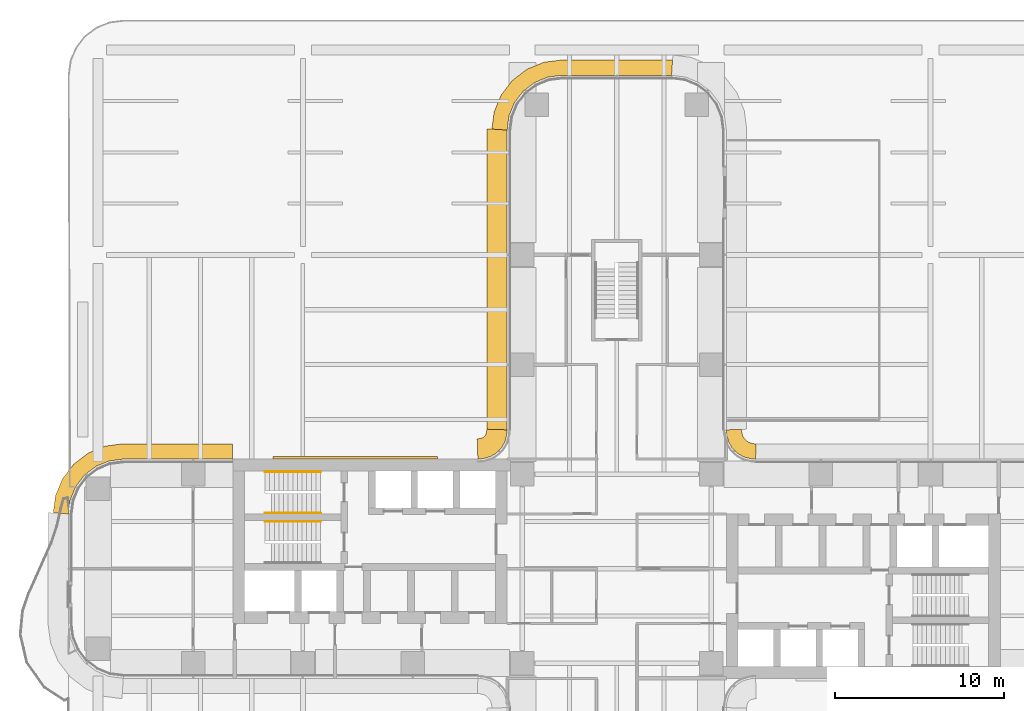
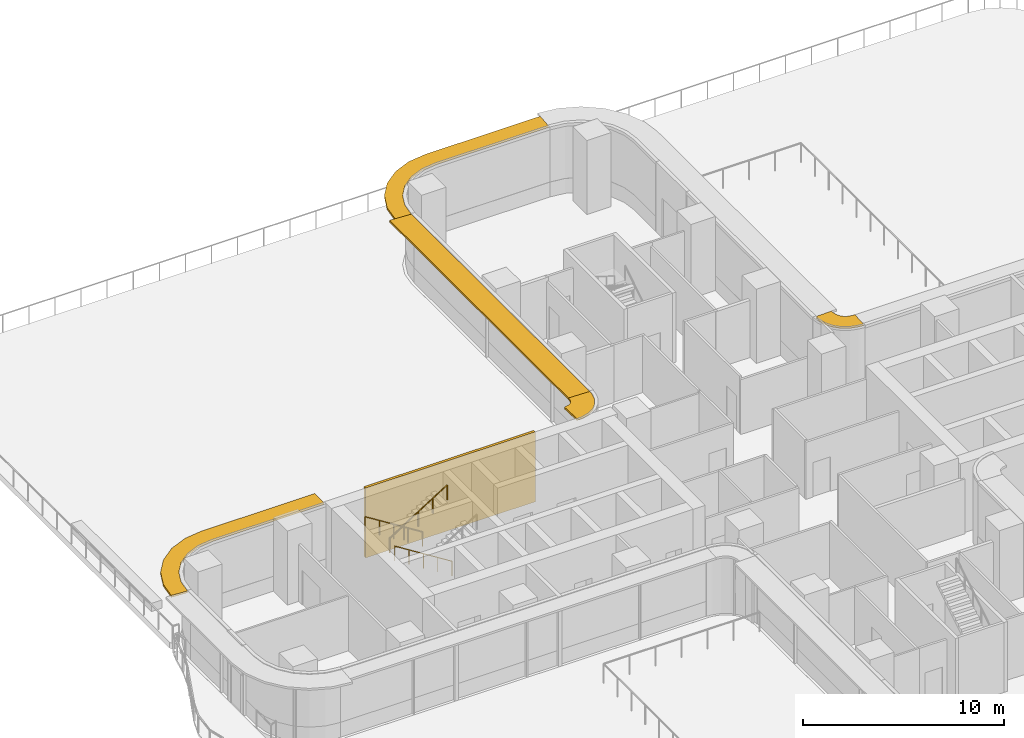
# One storey, part 27 of 29: 5 shading devices, 3 railings, 1 covering.
"""IFC4 building model written with IfcOpenShell, lengths in metres."""

from ifc_helpers import new_model, si_unit, direction, frame, origin, origin_2d, place, context, subcontext, project, spatial, polyline, circle, outline, extrude, source, transform, mapped, material, layer, layer_set, type_object, element, save


model = new_model("IFC4")

# Units and contexts
model_context = context("Model", 3, precision=1e-05, world=origin(), true_north=direction((0.0, 1.0)))
body_context = subcontext(model_context, "Body", "Model", "MODEL_VIEW")
ifc_project = project(units=[si_unit("LENGTHUNIT", "METRE"), si_unit("AREAUNIT", "SQUARE_METRE"), si_unit("VOLUMEUNIT", "CUBIC_METRE"), si_unit("PLANEANGLEUNIT", "RADIAN"), si_unit("MASSUNIT", "GRAM", prefix="KILO")], contexts=[model_context])

# Site, building, storey
site_placement = place(None, origin())
site = spatial("IfcSite", under=ifc_project, at=site_placement, CompositionType="ELEMENT")
building_placement = place(site_placement, origin())
building = spatial("IfcBuilding", under=site, at=building_placement, Name="Trellis Farm Tower", CompositionType="ELEMENT")
storey_placement = place(building_placement, frame((0.0, 0.0, 34.0)))
storey = spatial("IfcBuildingStorey", under=building, at=storey_placement, Name="L06", CompositionType="ELEMENT", Elevation=34.0)

# Railings
ifc_material_1 = material(Name="Stainless steel", Category="steel")
railing_type = type_object("IfcRailingType", Name="STAIR HANDRAIL 900", PredefinedType="HANDRAIL", material=ifc_material_1)
shared_shape_1 = source(origin(), body_context, "Body", "SweptSolid", [
    extrude(circle(Radius=0.02392578125, at=origin_2d()), frame((0.0, 0.0, 0.8759765625), z_axis=(0.846337383501, 0.0, 0.532647194011), x_axis=(0.0, 1.0, 0.0)), (0.0, 0.0, 1.0), 3.899169921875),
    extrude(circle(Radius=0.02099609375, at=origin_2d()), origin(), (0.0, 0.0, 1.0), 0.851806640625),
    extrude(circle(Radius=0.02099609375, at=origin_2d()), frame((0.824951171875, 0.0, 0.519287109375)), (0.0, 0.0, 1.0), 0.851806640625),
    extrude(circle(Radius=0.02099609375, at=origin_2d()), frame((1.64990234375, 0.0, 1.03857421875)), (0.0, 0.0, 1.0), 0.851806640625),
    extrude(circle(Radius=0.02099609375, at=origin_2d()), frame((2.47509765625, 0.0, 1.5576171875)), (0.0, 0.0, 1.0), 0.851806640625),
    extrude(circle(Radius=0.02099609375, at=origin_2d()), frame((3.300048828125, 0.0, 2.076904296875)), (0.0, 0.0, 1.0), 0.851806640625),
])
railing_placement = place(storey_placement, frame((-20.85009765625, 3.300048828125, 2.423095703125)))
element("IfcRailing", 1, at=railing_placement, inside=storey, type_object=railing_type, Name="Stair handrail", PredefinedType="HANDRAIL", context=body_context, shape_type="MappedRepresentation", body=[
    mapped(shared_shape_1, transform((0.0, 0.0, 0.0))),
])
shared_shape_2 = source(origin(), body_context, "Body", "SweptSolid", [
    extrude(circle(Radius=0.02392578125, at=origin_2d()), frame((0.0, 0.0, 0.8759765625), z_axis=(-0.846337383501, 0.0, 0.532647194011), x_axis=(0.0, -1.0, 0.0)), (0.0, 0.0, 1.0), 3.899169921875),
    extrude(circle(Radius=0.02099609375, at=origin_2d()), origin(), (0.0, 0.0, 1.0), 0.851806640625),
    extrude(circle(Radius=0.02099609375, at=origin_2d()), frame((-0.824951171875, 0.0, 0.519287109375)), (0.0, 0.0, 1.0), 0.851806640625),
    extrude(circle(Radius=0.02099609375, at=origin_2d()), frame((-1.64990234375, 0.0, 1.03857421875)), (0.0, 0.0, 1.0), 0.851806640625),
    extrude(circle(Radius=0.02099609375, at=origin_2d()), frame((-2.47509765625, 0.0, 1.5576171875)), (0.0, 0.0, 1.0), 0.851806640625),
    extrude(circle(Radius=0.02099609375, at=origin_2d()), frame((-3.300048828125, 0.0, 2.076904296875)), (0.0, 0.0, 1.0), 0.851806640625),
])
for number, where, name in (
    (2, (-17.550048828125, 5.75, 0.173095703125), "Stair handrail"),
    (3, (-17.550048828125, 2.800048828125, 0.173095703125), "Stair handrail"),
):
    element("IfcRailing", number, at=place(storey_placement, frame(where)), inside=storey, type_object=railing_type, Name=name, PredefinedType="HANDRAIL", context=body_context, shape_type="MappedRepresentation", body=[
        mapped(shared_shape_2, transform((0.0, 0.0, 0.0))),
    ])

# Shading devices
ifc_material_2 = material(Name="Aluminium extrusion 6063-T6", Category="aluminium")
ifc_layer_1 = layer(ifc_material_2, 0.1201171875)
ifc_layer_set_1 = layer_set([ifc_layer_1], Name="SUNSHADE BLADE 900")
shading_device_type_1 = type_object("IfcShadingDeviceType", Name="SUNSHADE BLADE 900", PredefinedType="USERDEFINED", material=ifc_layer_set_1)
shared_shape_3 = source(origin(), body_context, "Body", "SweptSolid", [
    extrude(outline(polyline([(8.2607421875, 7.39990234375), (8.107666015625, 7.409912109375), (8.091552734375, 7.412109375), (7.85595703125, 7.475341796875), (7.697021484375, 7.567138671875), (7.567138671875, 7.697021484375), (7.475341796875, 7.85595703125), (7.412109375, 8.091552734375), (7.409912109375, 8.107666015625), (7.39990234375, 8.2607421875), (6.5, 8.2314453125), (6.513916015625, 8.01953125), (6.527587890625, 7.91552734375), (6.63671875, 7.508544921875), (6.846923828125, 7.144287109375), (7.144287109375, 6.846923828125), (7.508544921875, 6.63671875), (7.91552734375, 6.527587890625), (8.01953125, 6.513916015625), (8.2314453125, 6.5), (8.2607421875, 7.39990234375)])), origin(), (0.0, 0.0, 1.0), 0.119873046875),
])
placement = place(storey_placement, frame((0.0, 0.0, 4.090087890625)))
element("IfcShadingDevice", 4, at=placement, inside=storey, type_object=shading_device_type_1, Name="SD1 010", ObjectType="SUNSHADE", PredefinedType="USERDEFINED", context=body_context, shape_type="MappedRepresentation", body=[
    mapped(shared_shape_3, transform((0.0, 0.0, 0.0))),
])
shared_shape_4 = source(origin(), body_context, "Body", "SweptSolid", [
    extrude(outline(polyline([(3.30908203125, 30.14990234375), (-3.30908203125, 30.14990234375), (-4.326171875, 30.01611328125), (-5.328857421875, 29.600830078125), (-6.18994140625, 28.93994140625), (-6.850830078125, 28.078857421875), (-7.26611328125, 27.076171875), (-7.39990234375, 26.05908203125), (-6.5, 26.0), (-6.38916015625, 26.841064453125), (-6.064697265625, 27.625), (-5.548095703125, 28.298095703125), (-4.875, 28.814697265625), (-4.091064453125, 29.13916015625), (-3.25, 29.25), (3.25, 29.25), (3.30908203125, 30.14990234375)])), origin(), (0.0, 0.0, 1.0), 0.119873046875),
])
element("IfcShadingDevice", 5, at=placement, inside=storey, type_object=shading_device_type_1, Name="SD1 012", ObjectType="SUNSHADE", PredefinedType="USERDEFINED", context=body_context, shape_type="MappedRepresentation", body=[
    mapped(shared_shape_4, transform((0.0, 0.0, 0.0))),
])
ifc_layer_2 = layer(ifc_material_2, 0.1201171875)
ifc_layer_set_2 = layer_set([ifc_layer_2], Name="SUNSHADE BLADE 1200")
shading_device_type_2 = type_object("IfcShadingDeviceType", Name="SUNSHADE BLADE 1200", PredefinedType="USERDEFINED", material=ifc_layer_set_2)
shared_shape_5 = source(origin(), body_context, "Body", "SweptSolid", [
    extrude(outline(polyline([(-7.699951171875, 26.07861328125), (-7.699951171875, 8.270751953125), (-6.5, 8.2314453125), (-6.5, 26.0), (-7.699951171875, 26.07861328125)])), origin(), (0.0, 0.0, 1.0), 0.119873046875),
])
element("IfcShadingDevice", 6, at=placement, inside=storey, type_object=shading_device_type_2, Name="SD2 013", ObjectType="SUNSHADE", PredefinedType="USERDEFINED", context=body_context, shape_type="MappedRepresentation", body=[
    mapped(shared_shape_5, transform((0.0, 0.0, 0.0))),
])
shared_shape_6 = source(origin(), body_context, "Body", "SweptSolid", [
    extrude(outline(polyline([(-7.699951171875, 8.270751953125), (-7.708740234375, 8.13720703125), (-7.70703125, 8.150146484375), (-7.7548828125, 7.9716796875), (-7.80712890625, 7.881103515625), (-7.881103515625, 7.80712890625), (-7.9716796875, 7.7548828125), (-8.150146484375, 7.70703125), (-8.13720703125, 7.708740234375), (-8.270751953125, 7.699951171875), (-8.2314453125, 6.5), (-8.01953125, 6.513916015625), (-7.91552734375, 6.527587890625), (-7.508544921875, 6.63671875), (-7.144287109375, 6.846923828125), (-6.846923828125, 7.144287109375), (-6.63671875, 7.508544921875), (-6.527587890625, 7.91552734375), (-6.513916015625, 8.01953125), (-6.5, 8.2314453125), (-7.699951171875, 8.270751953125)])), origin(), (0.0, 0.0, 1.0), 0.119873046875),
])
element("IfcShadingDevice", 7, at=placement, inside=storey, type_object=shading_device_type_2, Name="SD2 014", ObjectType="SUNSHADE", PredefinedType="USERDEFINED", context=body_context, shape_type="MappedRepresentation", body=[
    mapped(shared_shape_6, transform((0.0, 0.0, 0.0))),
])
shared_shape_7 = source(origin(), body_context, "Body", "SweptSolid", [
    extrude(outline(polyline([(-22.780029296875, 7.39990234375), (-29.30908203125, 7.39990234375), (-30.326171875, 7.26611328125), (-31.328857421875, 6.850830078125), (-32.18994140625, 6.18994140625), (-32.850830078125, 5.328857421875), (-33.26611328125, 4.326171875), (-33.39990234375, 3.30908203125), (-32.5, 3.25), (-32.38916015625, 4.091064453125), (-32.064697265625, 4.875), (-31.548095703125, 5.548095703125), (-30.875, 6.064697265625), (-30.091064453125, 6.38916015625), (-29.25, 6.5), (-22.780029296875, 6.5), (-22.780029296875, 7.39990234375)])), origin(), (0.0, 0.0, 1.0), 0.119873046875),
])
element("IfcShadingDevice", 8, at=placement, inside=storey, type_object=shading_device_type_1, Name="SD1 015", ObjectType="SUNSHADE", PredefinedType="USERDEFINED", context=body_context, shape_type="MappedRepresentation", body=[
    mapped(shared_shape_7, transform((0.0, 0.0, 0.0))),
])

# Covering
ifc_material_3 = material(Name="Perforated precast screen (cobogo)", Category="concrete")
ifc_layer_3 = layer(ifc_material_3, 0.14990234375)
ifc_layer_set_3 = layer_set([ifc_layer_3], Name="COBOGO SCREEN PANEL")
covering_type = type_object("IfcCoveringType", Name="COBOGO SCREEN PANEL", PredefinedType="USERDEFINED", material=ifc_layer_set_3)
shared_shape_8 = source(origin(), body_context, "Body", "SweptSolid", [
    extrude(outline(polyline([(-10.630615234375, 6.64990234375), (-20.380615234375, 6.64990234375), (-20.380615234375, 6.5), (-10.630615234375, 6.5), (-10.630615234375, 6.64990234375)])), origin(), (0.0, 0.0, 1.0), 4.25),
])
covering_placement = place(storey_placement, origin())
element("IfcCovering", 9, at=covering_placement, inside=storey, type_object=covering_type, Name="SC1 02", ObjectType="SCREEN", PredefinedType="USERDEFINED", context=body_context, shape_type="MappedRepresentation", body=[
    mapped(shared_shape_8, transform((0.0, 0.0, 0.0))),
])

save(model, "model.ifc")
